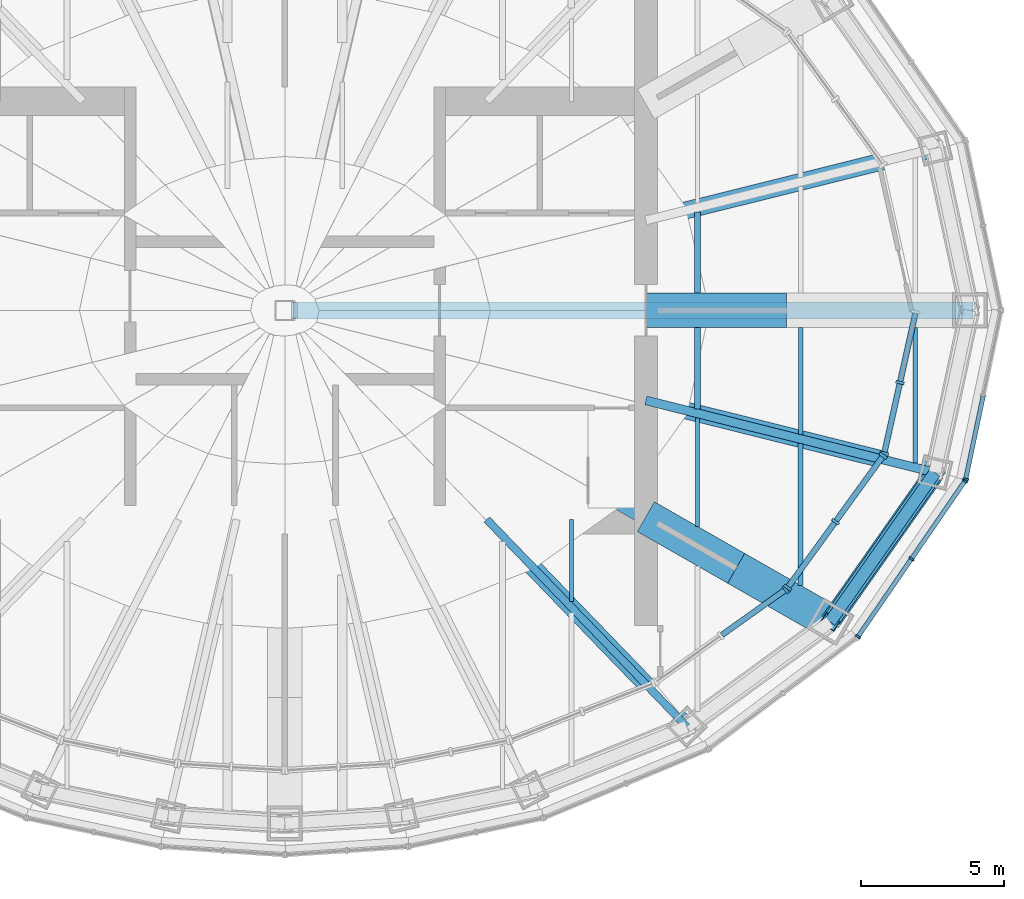
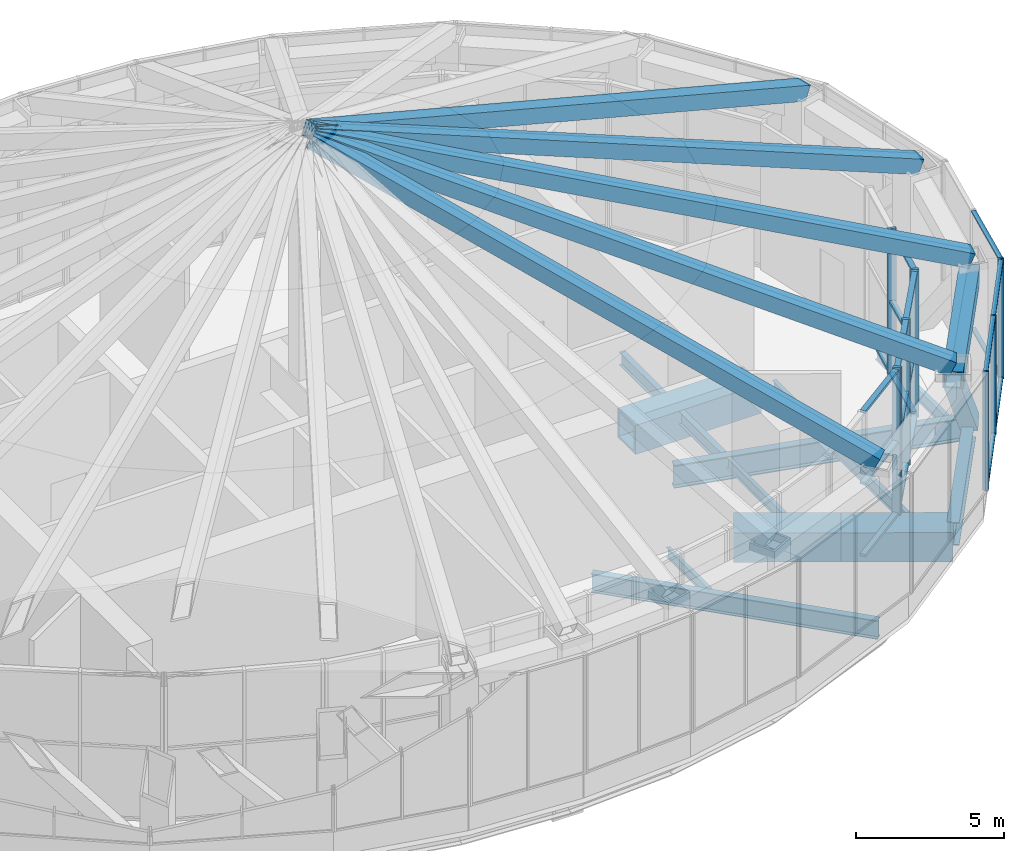
# One storey, part 8 of 21: 35 members, 14 beams, 5 elements without a shape of their own.
"""IFC4 building model written with IfcOpenShell, lengths in metres."""

import ifcopenshell
import ifcopenshell.guid

model = None  # the IFC model being written
_history = None  # IfcOwnerHistory: only IFC2X3 demands one
_inside = {}  # id of a spatial element -> (the spatial element, [elements in it])
_under = {}  # id of a project, library or spatial element -> (it, [spatial elements below it])
_declared = {}  # id of a project -> (the project, [libraries it declares])
_typed = {}  # id of a type object -> (the type object, [elements of that type])
_made_of = {}  # id of a material, layer set ... -> (it, [elements and type objects made of it])


def new_model(schema):
    """Start an empty IFC model of exactly this schema.

    Asked for "IFC4X3", IfcOpenShell would pick the latest addendum, in which some entities
    have other attributes; the version numbers below select the first issue.
    IFC2X3 requires an IfcOwnerHistory on every rooted entity: one is made here for all.
    """
    global model, _history
    if schema == "IFC4X3":
        model = ifcopenshell.file(schema_version=(4, 3, 0, 0))
    else:
        model = ifcopenshell.file(schema=schema)
    _inside.clear()
    _under.clear()
    _declared.clear()
    _typed.clear()
    _made_of.clear()
    _history = None
    if model.schema == "IFC2X3":
        org = make("IfcOrganization", Name="unknown")
        user = make(
            "IfcPersonAndOrganization",
            ThePerson=make("IfcPerson", FamilyName="unknown"),
            TheOrganization=org,
        )
        app = make(
            "IfcApplication",
            ApplicationDeveloper=org,
            Version="unknown",
            ApplicationFullName="unknown",
            ApplicationIdentifier="unknown",
        )
        _history = make(
            "IfcOwnerHistory",
            OwningUser=user,
            OwningApplication=app,
            ChangeAction="ADDED",
            CreationDate=0,
        )
    return model


def make(cls, **values):
    """One entity of the class cls with the attributes given. An attribute that is None is left unset."""
    return model.create_entity(
        cls, **{name: value for name, value in values.items() if value is not None}
    )


def rooted(cls, **values):
    """An entity with a GlobalId (a new one), such as an element, a storey or a relation."""
    return make(cls, GlobalId=ifcopenshell.guid.new(), OwnerHistory=_history, **values)


def si_unit(unit_type, name, prefix=None):
    """IfcSIUnit, for example si_unit("LENGTHUNIT", "METRE", prefix="MILLI")."""
    return make("IfcSIUnit", UnitType=unit_type, Prefix=prefix, Name=name)


def assignment(units):
    """IfcUnitAssignment: the units of a project."""
    return None if units is None else make("IfcUnitAssignment", Units=units)


def point(xyz):
    """IfcCartesianPoint."""
    return None if xyz is None else make("IfcCartesianPoint", Coordinates=xyz)


def direction(xyz):
    """IfcDirection."""
    return None if xyz is None else make("IfcDirection", DirectionRatios=xyz)


def frame(location, z_axis=None, x_axis=None):
    """IfcAxis2Placement3D, a coordinate frame: its origin and axes. An axis left out is left unset."""
    return make(
        "IfcAxis2Placement3D",
        Location=point(location),
        Axis=direction(z_axis),
        RefDirection=direction(x_axis),
    )


def frame_2d(location, x_axis=None):
    """IfcAxis2Placement2D, a coordinate frame in the plane: its origin and x axis."""
    return make(
        "IfcAxis2Placement2D", Location=point(location), RefDirection=direction(x_axis)
    )


def origin():
    """The frame at (0, 0, 0) with its axes left unset."""
    return frame((0.0, 0.0, 0.0))


def origin_2d():
    """The frame at (0, 0) in the plane with its x axis left unset."""
    return frame_2d((0.0, 0.0))


def place(relative_to, where):
    """IfcLocalPlacement: puts the frame where relative to a parent placement (None: the world)."""
    return make(
        "IfcLocalPlacement", PlacementRelTo=relative_to, RelativePlacement=where
    )


def context(
    kind, dimensions, precision=None, world=None, true_north=None, identifier=None
):
    """IfcGeometricRepresentationContext, for example the 3D "Model" context."""
    return make(
        "IfcGeometricRepresentationContext",
        ContextIdentifier=identifier,
        ContextType=kind,
        CoordinateSpaceDimension=dimensions,
        Precision=precision,
        WorldCoordinateSystem=world,
        TrueNorth=true_north,
    )


def subcontext(parent, identifier, kind, view, scale=None):
    """IfcGeometricRepresentationSubContext, for example "Body" below "Model"."""
    return make(
        "IfcGeometricRepresentationSubContext",
        ContextIdentifier=identifier,
        ContextType=kind,
        ParentContext=parent,
        TargetScale=scale,
        TargetView=view,
    )


def project(units=None, contexts=None):
    """IfcProject with its units and contexts."""
    return rooted(
        "IfcProject",
        Name="project",
        RepresentationContexts=contexts,
        UnitsInContext=assignment(units),
    )


def spatial(cls, under=None, at=None, **own):
    """A site, building, storey or space (cls), placed at a placement, below another one or the project."""
    s = rooted(cls, ObjectPlacement=at, **own)
    if under is not None:
        _under.setdefault(under.id(), (under, []))[1].append(s)
    return s


def profile(cls, at=None, kind="AREA", **sizes):
    """A parametric profile (cls). Its sizes go by their IFC names, for example OverallWidth=200.0."""
    return make(cls, ProfileType=kind, Position=at, **sizes)


def rectangle(**sizes):
    """IfcRectangleProfileDef."""
    return profile("IfcRectangleProfileDef", **sizes)


def hollow_rectangle(**sizes):
    """IfcRectangleHollowProfileDef."""
    return profile("IfcRectangleHollowProfileDef", **sizes)


def i_section(**sizes):
    """IfcIShapeProfileDef."""
    return profile("IfcIShapeProfileDef", **sizes)


def extrude(swept, where, along, depth):
    """IfcExtrudedAreaSolid: the profile swept, set in the frame where, extruded along a direction by depth."""
    return make(
        "IfcExtrudedAreaSolid",
        SweptArea=swept,
        Position=where,
        ExtrudedDirection=direction(along),
        Depth=depth,
    )


def shape(context_of_items, identifier, shape_type, items):
    """IfcShapeRepresentation: the items that make up one representation, for example the "Body"."""
    return make(
        "IfcShapeRepresentation",
        ContextOfItems=context_of_items,
        RepresentationIdentifier=identifier,
        RepresentationType=shape_type,
        Items=items,
    )


def material(Name=None, Category=None):
    """IfcMaterial."""
    return make("IfcMaterial", Name=Name, Category=Category)


def material_profile(
    of_material, cross_section, Name=None, Category=None, Priority=None
):
    """IfcMaterialProfile: a cross section and its material."""
    return make(
        "IfcMaterialProfile",
        Name=Name,
        Material=of_material,
        Profile=cross_section,
        Priority=Priority,
        Category=Category,
    )


def profile_set(profiles, Name=None, composite=None):
    """IfcMaterialProfileSet."""
    return make(
        "IfcMaterialProfileSet",
        Name=Name,
        MaterialProfiles=profiles,
        CompositeProfile=composite,
    )


def made_of(thing, what):
    """Note that an element or type object is made of a material, layer set ...; save() writes the relation."""
    if what is not None:
        _made_of.setdefault(what.id(), (what, []))[1].append(thing)
    return thing


def type_object(cls, material=None, **own):
    """A type object (cls), such as IfcWallType, which elements share."""
    return made_of(rooted(cls, **own), material)


def element(
    cls,
    number,
    at=None,
    inside=None,
    cuts=None,
    type_object=None,
    material=None,
    context=None,
    identifier="Body",
    shape_type=None,
    held_by="IfcProductDefinitionShape",
    body=None,
    shapes=None,
    **own,
):
    """One element of the class cls, such as IfcWall. Its Tag is "e" and its number.

    at: its placement. inside: the storey or other place that contains it. cuts: it is an
    opening in that element (IfcRelVoidsElement). A single representation is given by context,
    identifier, shape_type and body (its items); several are given by shapes. held_by: the class
    of the entity that holds the representations. save() writes the other relations.
    """
    e = rooted(cls, Tag="e%d" % number, ObjectPlacement=at, **own)
    if body is not None:
        shapes = [shape(context, identifier, shape_type, body)]
    if shapes is not None:
        e.Representation = make(held_by, Representations=shapes)
    if inside is not None:
        _inside.setdefault(inside.id(), (inside, []))[1].append(e)
    if cuts is not None:
        rooted(
            "IfcRelVoidsElement", RelatingBuildingElement=cuts, RelatedOpeningElement=e
        )
    if type_object is not None:
        _typed.setdefault(type_object.id(), (type_object, []))[1].append(e)
    return made_of(e, material)


def aggregate(whole, parts):
    """IfcRelAggregates: a whole, such as a stair, and the parts it consists of."""
    return rooted("IfcRelAggregates", RelatingObject=whole, RelatedObjects=parts)


def save(model, path):
    """Write the relations noted so far, then the file.

    IfcRelAggregates (storeys below a building ...), IfcRelContainedInSpatialStructure (elements
    in a storey), IfcRelDefinesByType, IfcRelAssociatesMaterial and IfcRelDeclares: one each for
    every whole, place, type object, material and project.
    """
    for whole, parts in _under.values():
        aggregate(whole, parts)
    for where, things in _inside.values():
        rooted(
            "IfcRelContainedInSpatialStructure",
            RelatedElements=things,
            RelatingStructure=where,
        )
    for kind, things in _typed.values():
        rooted("IfcRelDefinesByType", RelatedObjects=things, RelatingType=kind)
    for what, things in _made_of.values():
        rooted("IfcRelAssociatesMaterial", RelatedObjects=things, RelatingMaterial=what)
    for by, libraries in _declared.values():
        rooted("IfcRelDeclares", RelatingContext=by, RelatedDefinitions=libraries)
    model.write(path)


model = new_model("IFC4")

# Units and contexts
model_context = context("Model", 3, precision=1e-05, world=origin(), true_north=direction((0.0, 1.0)))
body_context = subcontext(model_context, "Body", "Model", "MODEL_VIEW")
ifc_project = project(units=[si_unit("LENGTHUNIT", "METRE"), si_unit("AREAUNIT", "SQUARE_METRE"), si_unit("VOLUMEUNIT", "CUBIC_METRE"), si_unit("PLANEANGLEUNIT", "RADIAN"), si_unit("MASSUNIT", "GRAM", prefix="KILO")], contexts=[model_context])

# Site, building, storey
site_placement = place(None, origin())
site = spatial("IfcSite", under=ifc_project, at=site_placement, CompositionType="ELEMENT")
building_placement = place(site_placement, origin())
building = spatial("IfcBuilding", under=site, at=building_placement, Name="Lantaw Convention Tower", CompositionType="ELEMENT")
storey_placement = place(building_placement, frame((0.0, 0.0, 290.39990234375)))
storey = spatial("IfcBuildingStorey", under=building, at=storey_placement, Name="L67", CompositionType="ELEMENT", Elevation=290.39990234375)

# Beams
ifc_material_1 = material(Name="Steel ASTM A992", Category="steel")
ifc_material_profile_1 = material_profile(ifc_material_1, i_section(OverallWidth=0.424072265625, OverallDepth=0.947509765625, WebThickness=0.02392578125, FlangeThickness=0.042724609375, FilletRadius=0.012451171875, at=origin_2d()), Name="W36X302")
ifc_profile_set_1 = profile_set([ifc_material_profile_1], Name="Steel ASTM A992")
beam_type_1 = type_object("IfcBeamType", Name="Beam BC W36X302", PredefinedType="SPANDREL", material=ifc_profile_set_1)
beam_1_placement = place(storey_placement, frame((19.02685546875, -10.87255859375, -0.673583984375), z_axis=(0.574400527612, 0.81857439117, 0.0), x_axis=(-0.81857439117, 0.574400527612, 0.0)))
element("IfcBeam", 1, at=beam_1_placement, inside=storey, type_object=beam_type_1, Name="Belt truss chord 23", PredefinedType="SPANDREL", context=body_context, shape_type="SweptSolid", body=[
    extrude(i_section(OverallWidth=0.424072265625, OverallDepth=0.947509765625, WebThickness=0.02392578125, FlangeThickness=0.042724609375, FilletRadius=0.012451171875, at=origin_2d()), origin(), (0.0, 0.0, 1.0), 6.3720703125),
])
ifc_material_2 = material(Name="Steel EN 10025-3 S460N", Category="steel")
ifc_material_profile_2 = material_profile(ifc_material_2, hollow_rectangle(XDim=1.199951171875, YDim=1.199951171875, WallThickness=0.10009765625, at=origin_2d()), Name="BOX1200X100")
ifc_profile_set_2 = profile_set([ifc_material_profile_2], Name="Steel EN 10025-3 S460N")
beam_type_2 = type_object("IfcBeamType", Name="Beam G BOX1200X100", PredefinedType="BEAM", material=ifc_profile_set_2)
beam_2_placement = place(storey_placement, frame((15.75, -9.0, -0.7998046875), z_axis=(0.868235180478, -0.496152870978, 0.0), x_axis=(0.496152870978, 0.868235180478, 0.0)))
element("IfcBeam", 2, at=beam_2_placement, inside=storey, type_object=beam_type_2, Name="Floor girder on ray 23", PredefinedType="BEAM", context=body_context, shape_type="SweptSolid", body=[
    extrude(hollow_rectangle(XDim=1.199951171875, YDim=1.199951171875, WallThickness=0.10009765625, at=origin_2d()), origin(), (0.0, 0.0, 1.0), 3.774169921875),
])
ifc_material_profile_3 = material_profile(ifc_material_1, i_section(OverallWidth=0.2666015625, OverallDepth=0.76953125, WebThickness=0.015625, FlangeThickness=0.025390625, FilletRadius=0.0126953125, at=origin_2d()), Name="W30X132")
ifc_profile_set_3 = profile_set([ifc_material_profile_3], Name="Steel ASTM A992")
beam_type_3 = type_object("IfcBeamType", Name="Beam G W30X132", PredefinedType="BEAM", material=ifc_profile_set_3)
beam_3_placement = place(storey_placement, frame((7.049560546875, -7.300048828125, -0.584716796875), z_axis=(0.694652631285, -0.71934534255, 0.0), x_axis=(0.71934534255, 0.694652631285, 0.0)))
element("IfcBeam", 3, at=beam_3_placement, inside=storey, type_object=beam_type_3, Name="Floor girder on ray 22", PredefinedType="BEAM", context=body_context, shape_type="SweptSolid", body=[
    extrude(i_section(OverallWidth=0.2666015625, OverallDepth=0.76953125, WebThickness=0.015625, FlangeThickness=0.025390625, FilletRadius=0.0126953125, at=origin_2d()), origin(), (0.0, 0.0, 1.0), 10.04541015625),
])
ifc_material_profile_4 = material_profile(ifc_material_1, i_section(OverallWidth=0.307373046875, OverallDepth=0.9423828125, WebThickness=0.022216796875, FlangeThickness=0.039794921875, FilletRadius=0.0126953125, at=origin_2d()), Name="W36X232")
ifc_profile_set_4 = profile_set([ifc_material_profile_4], Name="Steel ASTM A992")
beam_type_4 = type_object("IfcBeamType", Name="Beam G W36X232", PredefinedType="BEAM", material=ifc_profile_set_4)
beam_4_placement = place(storey_placement, frame((12.60009765625, -3.1416015625, -0.671142578125), z_axis=(0.97029702597, -0.241916682751, 0.0), x_axis=(0.241916682751, 0.97029702597, 0.0)))
element("IfcBeam", 4, at=beam_4_placement, inside=storey, type_object=beam_type_4, Name="Floor girder on ray 24", PredefinedType="BEAM", context=body_context, shape_type="SweptSolid", body=[
    extrude(i_section(OverallWidth=0.307373046875, OverallDepth=0.9423828125, WebThickness=0.022216796875, FlangeThickness=0.039794921875, FilletRadius=0.0126953125, at=origin_2d()), origin(), (0.0, 0.0, 1.0), 10.395751953125),
])
ifc_material_profile_5 = material_profile(ifc_material_1, i_section(OverallWidth=0.140380859375, OverallDepth=0.40380859375, WebThickness=0.007080078125, FlangeThickness=0.01123046875, FilletRadius=0.01025390625, at=origin_2d()), Name="W16X31")
ifc_profile_set_5 = profile_set([ifc_material_profile_5], Name="Steel ASTM A992")
beam_type_5 = type_object("IfcBeamType", Name="Beam J W16X31", PredefinedType="JOIST", material=ifc_profile_set_5)
beam_5_placement = place(storey_placement, frame((10.0, -10.163330078125, -0.40185546875), z_axis=(0.0, 1.0, 0.0), x_axis=(-1.0, 0.0, 0.0)))
element("IfcBeam", 5, at=beam_5_placement, inside=storey, type_object=beam_type_5, Name="Floor joist", PredefinedType="JOIST", context=body_context, shape_type="SweptSolid", body=[
    extrude(i_section(OverallWidth=0.140380859375, OverallDepth=0.40380859375, WebThickness=0.007080078125, FlangeThickness=0.01123046875, FilletRadius=0.01025390625, at=origin_2d()), origin(), (0.0, 0.0, 1.0), 2.86328125),
])
ifc_material_profile_6 = material_profile(ifc_material_1, i_section(OverallWidth=0.15234375, OverallDepth=0.449462890625, WebThickness=0.007568359375, FlangeThickness=0.0107421875, FilletRadius=0.01025390625, at=origin_2d()), Name="W18X35")
ifc_profile_set_6 = profile_set([ifc_material_profile_6], Name="Steel ASTM A992")
beam_type_6 = type_object("IfcBeamType", Name="Beam J W18X35", PredefinedType="JOIST", material=ifc_profile_set_6)
beam_6_placement = place(storey_placement, frame((14.39990234375, -7.53759765625, -0.4248046875), z_axis=(0.0, 1.0, 0.0), x_axis=(-1.0, 0.0, 0.0)))
element("IfcBeam", 6, at=beam_6_placement, inside=storey, type_object=beam_type_6, Name="Floor joist", PredefinedType="JOIST", context=body_context, shape_type="SweptSolid", body=[
    extrude(i_section(OverallWidth=0.15234375, OverallDepth=0.449462890625, WebThickness=0.007568359375, FlangeThickness=0.0107421875, FilletRadius=0.01025390625, at=origin_2d()), origin(), (0.0, 0.0, 1.0), 3.788818359375),
])
beam_7_placement = place(storey_placement, frame((18.0, -4.32958984375, -0.4248046875), z_axis=(0.0, 1.0, 0.0), x_axis=(-1.0, 0.0, 0.0)))
element("IfcBeam", 7, at=beam_7_placement, inside=storey, type_object=beam_type_6, Name="Floor joist", PredefinedType="JOIST", context=body_context, shape_type="SweptSolid", body=[
    extrude(i_section(OverallWidth=0.15234375, OverallDepth=0.449462890625, WebThickness=0.007568359375, FlangeThickness=0.0107421875, FilletRadius=0.01025390625, at=origin_2d()), origin(), (0.0, 0.0, 1.0), 3.7294921875),
])
ifc_material_profile_7 = material_profile(ifc_material_1, i_section(OverallWidth=0.1650390625, OverallDepth=0.52587890625, WebThickness=0.0087890625, FlangeThickness=0.011474609375, FilletRadius=0.0126953125, at=origin_2d()), Name="W21X44")
ifc_profile_set_7 = profile_set([ifc_material_profile_7], Name="Steel ASTM A992")
beam_type_7 = type_object("IfcBeamType", Name="Beam J W21X44", PredefinedType="JOIST", material=ifc_profile_set_7)
beam_8_placement = place(storey_placement, frame((22.0, -5.326904296875, -0.462890625), z_axis=(0.0, 1.0, 0.0), x_axis=(-1.0, 0.0, 0.0)))
element("IfcBeam", 8, at=beam_8_placement, inside=storey, type_object=beam_type_7, Name="Floor joist", PredefinedType="JOIST", context=body_context, shape_type="SweptSolid", body=[
    extrude(i_section(OverallWidth=0.1650390625, OverallDepth=0.52587890625, WebThickness=0.0087890625, FlangeThickness=0.011474609375, FilletRadius=0.0126953125, at=origin_2d()), origin(), (0.0, 0.0, 1.0), 4.726806640625),
])
ifc_material_profile_8 = material_profile(ifc_material_1, i_section(OverallWidth=0.165771484375, OverallDepth=0.5283203125, WebThickness=0.009765625, FlangeThickness=0.013671875, FilletRadius=0.012939453125, at=origin_2d()), Name="W21X50")
ifc_profile_set_8 = profile_set([ifc_material_profile_8], Name="Steel ASTM A992")
beam_type_8 = type_object("IfcBeamType", Name="Beam J W21X50", PredefinedType="JOIST", material=ifc_profile_set_8)
beam_9_placement = place(storey_placement, frame((18.0, -9.5947265625, -0.464111328125), z_axis=(0.0, 1.0, 0.0), x_axis=(-1.0, 0.0, 0.0)))
element("IfcBeam", 9, at=beam_9_placement, inside=storey, type_object=beam_type_8, Name="Floor joist", PredefinedType="JOIST", context=body_context, shape_type="SweptSolid", body=[
    extrude(i_section(OverallWidth=0.165771484375, OverallDepth=0.5283203125, WebThickness=0.009765625, FlangeThickness=0.013671875, FilletRadius=0.012939453125, at=origin_2d()), origin(), (0.0, 0.0, 1.0), 4.948486328125),
])
ifc_material_profile_9 = material_profile(ifc_material_1, i_section(OverallWidth=0.2099609375, OverallDepth=0.535888671875, WebThickness=0.010986328125, FlangeThickness=0.017333984375, FilletRadius=0.012939453125, at=origin_2d()), Name="W21X68")
ifc_profile_set_9 = profile_set([ifc_material_profile_9], Name="Steel ASTM A992")
beam_type_9 = type_object("IfcBeamType", Name="Beam J W21X68", PredefinedType="JOIST", material=ifc_profile_set_9)
for number, where, z_axis, x_axis, name in (
    (10, (14.39990234375, -3.431884765625, -0.4677734375), (0.0, 1.0, 0.0), (-1.0, 0.0, 0.0), "Floor joist"),
    (11, (14.39990234375, 0.60009765625, -0.4677734375), (0.0, 1.0, 0.0), (-1.0, 0.0, 0.0), "Floor joist"),
):
    element("IfcBeam", number, at=place(storey_placement, frame(where, z_axis=z_axis, x_axis=x_axis)), inside=storey, type_object=beam_type_9, Name=name, PredefinedType="JOIST", context=body_context, shape_type="SweptSolid", body=[
        extrude(i_section(OverallWidth=0.2099609375, OverallDepth=0.535888671875, WebThickness=0.010986328125, FlangeThickness=0.017333984375, FilletRadius=0.012939453125, at=origin_2d()), origin(), (0.0, 0.0, 1.0), 2.831787109375),
    ])
ifc_material_profile_10 = material_profile(ifc_material_2, hollow_rectangle(XDim=1.199951171875, YDim=1.199951171875, WallThickness=0.10009765625, at=origin_2d()), Name="BOX1200X100")
ifc_profile_set_10 = profile_set([ifc_material_profile_10], Name="Steel EN 10025-3 S460N")
beam_type_10 = type_object("IfcBeamType", Name="Beam OC BOX1200X100", PredefinedType="BEAM", material=ifc_profile_set_10)
beam_10_placement = place(storey_placement, frame((12.60009765625, 0.0, -0.7998046875), z_axis=(1.0, 0.0, 0.0), x_axis=(0.0, 1.0, 0.0)))
element("IfcBeam", 12, at=beam_10_placement, inside=storey, type_object=beam_type_10, Name="Outrigger chord on ray 1", PredefinedType="BEAM", context=body_context, shape_type="SweptSolid", body=[
    extrude(hollow_rectangle(XDim=1.199951171875, YDim=1.199951171875, WallThickness=0.10009765625, at=origin_2d()), origin(), (0.0, 0.0, 1.0), 4.89990234375),
])
beam_11_placement = place(storey_placement, frame((12.60009765625, -7.199951171875, -0.7998046875), z_axis=(0.868230718294, -0.496160679428, 0.0), x_axis=(0.496160679428, 0.868230718294, 0.0)))
element("IfcBeam", 13, at=beam_11_placement, inside=storey, type_object=beam_type_10, Name="Outrigger chord on ray 23", PredefinedType="BEAM", context=body_context, shape_type="SweptSolid", body=[
    extrude(hollow_rectangle(XDim=1.199951171875, YDim=1.199951171875, WallThickness=0.10009765625, at=origin_2d()), origin(), (0.0, 0.0, 1.0), 3.6279296875),
])
ifc_material_3 = material(Name="Steel ASTM A572 Grade 50", Category="steel")
ifc_material_profile_11 = material_profile(ifc_material_3, hollow_rectangle(XDim=0.699951171875, YDim=0.699951171875, WallThickness=0.0400390625, at=origin_2d()), Name="BOX700X40")
ifc_profile_set_11 = profile_set([ifc_material_profile_11], Name="Steel ASTM A572 Grade 50")
beam_type_11 = type_object("IfcBeamType", Name="Beam crown ring BOX700X40", PredefinedType="SPANDREL", material=ifc_profile_set_11)
beam_12_placement = place(storey_placement, frame((19.02685546875, -10.87255859375, 5.650146484375), z_axis=(0.574400527612, 0.81857439117, 0.0), x_axis=(-0.81857439117, 0.574400527612, 0.0)))
element("IfcBeam", 14, at=beam_12_placement, inside=storey, type_object=beam_type_11, Name="Crown ring beam", PredefinedType="SPANDREL", context=body_context, shape_type="SweptSolid", body=[
    extrude(hollow_rectangle(XDim=0.699951171875, YDim=0.699951171875, WallThickness=0.0400390625, at=origin_2d()), origin(), (0.0, 0.0, 1.0), 6.3720703125),
])

# Curtain wall, member
ifc_material_4 = material(Name="Aluminium framed curtain wall", Category="aluminium")
curtain_wall_type_1 = type_object("IfcCurtainWallType", Name="LANTERN glazing curtain wall, pale aluminium", PredefinedType="USERDEFINED", material=ifc_material_4)
curtain_wall_1_placement = place(storey_placement, origin())
curtain_wall_1 = element("IfcCurtainWall", 15, at=curtain_wall_1_placement, inside=storey, type_object=curtain_wall_type_1, Name="LANTERN glazing curtain wall, pale aluminium L67", ObjectType="LANTERN GLAZING", PredefinedType="USERDEFINED")
ifc_material_5 = material(Name="Aluminium 6063-T6", Category="aluminium")
ifc_material_profile_12 = material_profile(ifc_material_5, rectangle(XDim=0.300048828125, YDim=0.10009765625, at=origin_2d()), Name="CW-LN mullion 100x300")
ifc_profile_set_12 = profile_set([ifc_material_profile_12], Name="Aluminium 6063-T6")
member_type_1 = type_object("IfcMemberType", Name="CW-LN mullion 100x300", PredefinedType="MULLION", material=ifc_profile_set_12)
member_1_placement = place(storey_placement, frame((17.477783203125, -9.7431640625, 0.0), z_axis=(0.0, 0.0, 1.0), x_axis=(-0.579683901346, 0.814841441337, 0.0)))
member_1 = element("IfcMember", 16, at=member_1_placement, type_object=member_type_1, Name="CW-LN mullion 3", PredefinedType="MULLION", context=body_context, shape_type="SweptSolid", body=[
    extrude(rectangle(XDim=0.300048828125, YDim=0.10009765625, at=origin_2d()), origin(), (0.0, 0.0, 1.0), 6.0),
])

# Curtain wall, members
curtain_wall_2_placement = place(storey_placement, origin())
curtain_wall_2 = element("IfcCurtainWall", 17, at=curtain_wall_2_placement, inside=storey, type_object=curtain_wall_type_1, Name="LANTERN glazing curtain wall, pale aluminium L67", ObjectType="LANTERN GLAZING", PredefinedType="USERDEFINED")
member_2_placement = place(storey_placement, frame((17.5478515625, -9.673583984375, 0.0), z_axis=(0.0, 0.0, 1.0), x_axis=(-0.809741800193, 0.586786346995, 0.0)))
member_2 = element("IfcMember", 18, at=member_2_placement, type_object=member_type_1, Name="CW-LN mullion 1", PredefinedType="MULLION", context=body_context, shape_type="SweptSolid", body=[
    extrude(rectangle(XDim=0.300048828125, YDim=0.10009765625, at=origin_2d()), origin(), (0.0, 0.0, 1.0), 6.0),
])
member_3_placement = place(storey_placement, frame((19.213623046875, -7.375, 0.0), z_axis=(0.0, 0.0, 1.0), x_axis=(-0.809741800193, 0.586786346995, 0.0)))
member_3 = element("IfcMember", 19, at=member_3_placement, type_object=member_type_1, Name="CW-LN mullion 2", PredefinedType="MULLION", context=body_context, shape_type="SweptSolid", body=[
    extrude(rectangle(XDim=0.300048828125, YDim=0.10009765625, at=origin_2d()), origin(), (0.0, 0.0, 1.0), 6.0),
])
member_4_placement = place(storey_placement, frame((20.87939453125, -5.076171875, 0.0), z_axis=(0.0, 0.0, 1.0), x_axis=(-0.809741800193, 0.586786346995, 0.0)))
member_4 = element("IfcMember", 20, at=member_4_placement, type_object=member_type_1, Name="CW-LN mullion 3", PredefinedType="MULLION", context=body_context, shape_type="SweptSolid", body=[
    extrude(rectangle(XDim=0.300048828125, YDim=0.10009765625, at=origin_2d()), origin(), (0.0, 0.0, 1.0), 6.0),
])

curtain_wall_3_placement = place(storey_placement, origin())
curtain_wall_3 = element("IfcCurtainWall", 21, at=curtain_wall_3_placement, inside=storey, type_object=curtain_wall_type_1, Name="LANTERN glazing curtain wall, pale aluminium L67", ObjectType="LANTERN GLAZING", PredefinedType="USERDEFINED")
member_5_placement = place(storey_placement, frame((20.919677734375, -4.98681640625, 0.0), z_axis=(0.0, 0.0, 1.0), x_axis=(-0.976223729568, 0.216765379683, 0.0)))
member_5 = element("IfcMember", 22, at=member_5_placement, type_object=member_type_1, Name="CW-LN mullion 1", PredefinedType="MULLION", context=body_context, shape_type="SweptSolid", body=[
    extrude(rectangle(XDim=0.300048828125, YDim=0.10009765625, at=origin_2d()), origin(), (0.0, 0.0, 1.0), 6.0),
])
member_6_placement = place(storey_placement, frame((21.4677734375, -2.517822265625, 0.0), z_axis=(0.0, 0.0, 1.0), x_axis=(-0.976223729568, 0.216765379683, 0.0)))
member_6 = element("IfcMember", 23, at=member_6_placement, type_object=member_type_1, Name="CW-LN mullion 2", PredefinedType="MULLION", context=body_context, shape_type="SweptSolid", body=[
    extrude(rectangle(XDim=0.300048828125, YDim=0.10009765625, at=origin_2d()), origin(), (0.0, 0.0, 1.0), 6.0),
])

# Member
ifc_material_profile_13 = material_profile(ifc_material_5, rectangle(XDim=0.199951171875, YDim=0.10009765625, at=origin_2d()), Name="CW-LN transom 100x200")
ifc_profile_set_13 = profile_set([ifc_material_profile_13], Name="Aluminium 6063-T6")
member_type_2 = type_object("IfcMemberType", Name="CW-LN transom 100x200", PredefinedType="USERDEFINED", material=ifc_profile_set_13)
member_7_placement = place(storey_placement, frame((15.2529296875, -11.325927734375, 0.050048828125), z_axis=(0.814809043546, 0.579729439098, 0.0), x_axis=(-0.579729439098, 0.814809043546, 0.0)))
member_7 = element("IfcMember", 24, at=member_7_placement, type_object=member_type_2, Name="CW-LN transom 2.1", ObjectType="TRANSOM", PredefinedType="USERDEFINED", context=body_context, shape_type="SweptSolid", body=[
    extrude(rectangle(XDim=0.199951171875, YDim=0.10009765625, at=origin_2d()), origin(), (0.0, 0.0, 1.0), 2.680419921875),
])

member_8_placement = place(storey_placement, frame((15.2529296875, -11.325927734375, 3.0), z_axis=(0.814809043546, 0.579729439098, 0.0), x_axis=(-0.579729439098, 0.814809043546, 0.0)))
member_8 = element("IfcMember", 25, at=member_8_placement, type_object=member_type_2, Name="CW-LN transom 2.2", ObjectType="TRANSOM", PredefinedType="USERDEFINED", context=body_context, shape_type="SweptSolid", body=[
    extrude(rectangle(XDim=0.199951171875, YDim=0.10009765625, at=origin_2d()), origin(), (0.0, 0.0, 1.0), 2.680419921875),
])

member_9_placement = place(storey_placement, frame((15.2529296875, -11.325927734375, 5.9501953125), z_axis=(0.814809043546, 0.579729439098, 0.0), x_axis=(-0.579729439098, 0.814809043546, 0.0)))
member_9 = element("IfcMember", 26, at=member_9_placement, type_object=member_type_2, Name="CW-LN transom 2.3", ObjectType="TRANSOM", PredefinedType="USERDEFINED", context=body_context, shape_type="SweptSolid", body=[
    extrude(rectangle(XDim=0.199951171875, YDim=0.10009765625, at=origin_2d()), origin(), (0.0, 0.0, 1.0), 2.680419921875),
])

aggregate(curtain_wall_1, [member_1, member_7, member_8, member_9])

member_10_placement = place(storey_placement, frame((17.5771484375, -9.633056640625, 0.050048828125), z_axis=(0.586798118951, 0.809733269414, 0.0), x_axis=(-0.809733269414, 0.586798118951, 0.0)))
member_10 = element("IfcMember", 27, at=member_10_placement, type_object=member_type_2, Name="CW-LN transom 1.1", ObjectType="TRANSOM", PredefinedType="USERDEFINED", context=body_context, shape_type="SweptSolid", body=[
    extrude(rectangle(XDim=0.199951171875, YDim=0.10009765625, at=origin_2d()), origin(), (0.0, 0.0, 1.0), 2.739013671875),
])

member_11_placement = place(storey_placement, frame((17.5771484375, -9.633056640625, 3.0), z_axis=(0.586798118951, 0.809733269414, 0.0), x_axis=(-0.809733269414, 0.586798118951, 0.0)))
member_11 = element("IfcMember", 28, at=member_11_placement, type_object=member_type_2, Name="CW-LN transom 1.2", ObjectType="TRANSOM", PredefinedType="USERDEFINED", context=body_context, shape_type="SweptSolid", body=[
    extrude(rectangle(XDim=0.199951171875, YDim=0.10009765625, at=origin_2d()), origin(), (0.0, 0.0, 1.0), 2.739013671875),
])

member_12_placement = place(storey_placement, frame((17.5771484375, -9.633056640625, 5.9501953125), z_axis=(0.586798118951, 0.809733269414, 0.0), x_axis=(-0.809733269414, 0.586798118951, 0.0)))
member_12 = element("IfcMember", 29, at=member_12_placement, type_object=member_type_2, Name="CW-LN transom 1.3", ObjectType="TRANSOM", PredefinedType="USERDEFINED", context=body_context, shape_type="SweptSolid", body=[
    extrude(rectangle(XDim=0.199951171875, YDim=0.10009765625, at=origin_2d()), origin(), (0.0, 0.0, 1.0), 2.739013671875),
])

member_13_placement = place(storey_placement, frame((19.242919921875, -7.33447265625, 0.050048828125), z_axis=(0.586798118951, 0.809733269414, 0.0), x_axis=(-0.809733269414, 0.586798118951, 0.0)))
member_13 = element("IfcMember", 30, at=member_13_placement, type_object=member_type_2, Name="CW-LN transom 2.1", ObjectType="TRANSOM", PredefinedType="USERDEFINED", context=body_context, shape_type="SweptSolid", body=[
    extrude(rectangle(XDim=0.199951171875, YDim=0.10009765625, at=origin_2d()), origin(), (0.0, 0.0, 1.0), 2.739013671875),
])

member_14_placement = place(storey_placement, frame((19.242919921875, -7.33447265625, 3.0), z_axis=(0.586798118951, 0.809733269414, 0.0), x_axis=(-0.809733269414, 0.586798118951, 0.0)))
member_14 = element("IfcMember", 31, at=member_14_placement, type_object=member_type_2, Name="CW-LN transom 2.2", ObjectType="TRANSOM", PredefinedType="USERDEFINED", context=body_context, shape_type="SweptSolid", body=[
    extrude(rectangle(XDim=0.199951171875, YDim=0.10009765625, at=origin_2d()), origin(), (0.0, 0.0, 1.0), 2.739013671875),
])

member_15_placement = place(storey_placement, frame((19.242919921875, -7.33447265625, 5.9501953125), z_axis=(0.586798118951, 0.809733269414, 0.0), x_axis=(-0.809733269414, 0.586798118951, 0.0)))
member_15 = element("IfcMember", 32, at=member_15_placement, type_object=member_type_2, Name="CW-LN transom 2.3", ObjectType="TRANSOM", PredefinedType="USERDEFINED", context=body_context, shape_type="SweptSolid", body=[
    extrude(rectangle(XDim=0.199951171875, YDim=0.10009765625, at=origin_2d()), origin(), (0.0, 0.0, 1.0), 2.739013671875),
])

aggregate(curtain_wall_2, [member_2, member_3, member_4, member_10, member_11, member_12, member_13, member_14, member_15])

member_16_placement = place(storey_placement, frame((20.930419921875, -4.93798828125, 0.050048828125), z_axis=(0.21679211166, 0.976217793488, 0.0), x_axis=(-0.976217793488, 0.21679211166, 0.0)))
member_16 = element("IfcMember", 33, at=member_16_placement, type_object=member_type_2, Name="CW-LN transom 1.1", ObjectType="TRANSOM", PredefinedType="USERDEFINED", context=body_context, shape_type="SweptSolid", body=[
    extrude(rectangle(XDim=0.199951171875, YDim=0.10009765625, at=origin_2d()), origin(), (0.0, 0.0, 1.0), 2.42919921875),
])

member_17_placement = place(storey_placement, frame((20.930419921875, -4.93798828125, 3.0), z_axis=(0.21679211166, 0.976217793488, 0.0), x_axis=(-0.976217793488, 0.21679211166, 0.0)))
member_17 = element("IfcMember", 34, at=member_17_placement, type_object=member_type_2, Name="CW-LN transom 1.2", ObjectType="TRANSOM", PredefinedType="USERDEFINED", context=body_context, shape_type="SweptSolid", body=[
    extrude(rectangle(XDim=0.199951171875, YDim=0.10009765625, at=origin_2d()), origin(), (0.0, 0.0, 1.0), 2.42919921875),
])

member_18_placement = place(storey_placement, frame((20.930419921875, -4.93798828125, 5.9501953125), z_axis=(0.21679211166, 0.976217793488, 0.0), x_axis=(-0.976217793488, 0.21679211166, 0.0)))
member_18 = element("IfcMember", 35, at=member_18_placement, type_object=member_type_2, Name="CW-LN transom 1.3", ObjectType="TRANSOM", PredefinedType="USERDEFINED", context=body_context, shape_type="SweptSolid", body=[
    extrude(rectangle(XDim=0.199951171875, YDim=0.10009765625, at=origin_2d()), origin(), (0.0, 0.0, 1.0), 2.42919921875),
])

member_19_placement = place(storey_placement, frame((21.478515625, -2.468994140625, 0.050048828125), z_axis=(0.21679211166, 0.976217793488, 0.0), x_axis=(-0.976217793488, 0.21679211166, 0.0)))
member_19 = element("IfcMember", 36, at=member_19_placement, type_object=member_type_2, Name="CW-LN transom 2.1", ObjectType="TRANSOM", PredefinedType="USERDEFINED", context=body_context, shape_type="SweptSolid", body=[
    extrude(rectangle(XDim=0.199951171875, YDim=0.10009765625, at=origin_2d()), origin(), (0.0, 0.0, 1.0), 2.42919921875),
])

aggregate(curtain_wall_3, [member_5, member_6, member_16, member_17, member_18, member_19])

# Curtain wall, members
curtain_wall_type_2 = type_object("IfcCurtainWallType", Name="Plant floor louvre wall, pale aluminium", PredefinedType="USERDEFINED", material=ifc_material_4)
curtain_wall_4_placement = place(storey_placement, origin())
curtain_wall_4 = element("IfcCurtainWall", 37, at=curtain_wall_4_placement, inside=storey, type_object=curtain_wall_type_2, Name="Plant floor louvre wall, pale aluminium L67", ObjectType="LOUVRE WALL", PredefinedType="USERDEFINED")
ifc_material_profile_14 = material_profile(ifc_material_5, rectangle(XDim=0.199951171875, YDim=0.070068359375, at=origin_2d()), Name="CW-LV mullion 70x200")
ifc_profile_set_14 = profile_set([ifc_material_profile_14], Name="Aluminium 6063-T6")
member_type_3 = type_object("IfcMemberType", Name="CW-LV mullion 70x200", PredefinedType="MULLION", material=ifc_profile_set_14)
member_20_placement = place(storey_placement, frame((20.001708984375, -11.389404296875, 1.10009765625), z_axis=(0.0, 0.0, 1.0), x_axis=(-0.824449977189, 0.565934832921, 0.0)))
member_20 = element("IfcMember", 38, at=member_20_placement, type_object=member_type_3, Name="CW-LV mullion 1", PredefinedType="MULLION", context=body_context, shape_type="SweptSolid", body=[
    extrude(rectangle(XDim=0.199951171875, YDim=0.070068359375, at=origin_2d()), origin(), (0.0, 0.0, 1.0), 4.89990234375),
])
member_21_placement = place(storey_placement, frame((21.8681640625, -8.67041015625, 1.10009765625), z_axis=(0.0, 0.0, 1.0), x_axis=(-0.824449977189, 0.565934832921, 0.0)))
member_21 = element("IfcMember", 39, at=member_21_placement, type_object=member_type_3, Name="CW-LV mullion 2", PredefinedType="MULLION", context=body_context, shape_type="SweptSolid", body=[
    extrude(rectangle(XDim=0.199951171875, YDim=0.070068359375, at=origin_2d()), origin(), (0.0, 0.0, 1.0), 4.89990234375),
])
member_22_placement = place(storey_placement, frame((23.734619140625, -5.951416015625, 1.10009765625), z_axis=(0.0, 0.0, 1.0), x_axis=(-0.824449977189, 0.565934832921, 0.0)))
member_22 = element("IfcMember", 40, at=member_22_placement, type_object=member_type_3, Name="CW-LV mullion 3", PredefinedType="MULLION", context=body_context, shape_type="SweptSolid", body=[
    extrude(rectangle(XDim=0.199951171875, YDim=0.070068359375, at=origin_2d()), origin(), (0.0, 0.0, 1.0), 4.89990234375),
])

# Curtain wall, member
curtain_wall_5_placement = place(storey_placement, origin())
curtain_wall_5 = element("IfcCurtainWall", 41, at=curtain_wall_5_placement, inside=storey, type_object=curtain_wall_type_2, Name="Plant floor louvre wall, pale aluminium L67", ObjectType="LOUVRE WALL", PredefinedType="USERDEFINED")
member_23_placement = place(storey_placement, frame((23.761474609375, -5.888427734375, 1.10009765625), z_axis=(0.0, 0.0, 1.0), x_axis=(-0.978591117263, 0.205814054946, 0.0)))
member_23 = element("IfcMember", 42, at=member_23_placement, type_object=member_type_3, Name="CW-LV mullion 1", PredefinedType="MULLION", context=body_context, shape_type="SweptSolid", body=[
    extrude(rectangle(XDim=0.199951171875, YDim=0.070068359375, at=origin_2d()), origin(), (0.0, 0.0, 1.0), 4.89990234375),
])

# Member
ifc_material_profile_15 = material_profile(ifc_material_5, rectangle(XDim=0.159912109375, YDim=0.070068359375, at=origin_2d()), Name="CW-LV transom 70x160")
ifc_profile_set_15 = profile_set([ifc_material_profile_15], Name="Aluminium 6063-T6")
member_type_4 = type_object("IfcMemberType", Name="CW-LV transom 70x160", PredefinedType="USERDEFINED", material=ifc_profile_set_15)
member_24_placement = place(storey_placement, frame((20.021484375, -11.360595703125, 1.135009765625), z_axis=(0.56594129057, 0.824445544368, 0.0), x_axis=(-0.824445544368, 0.56594129057, 0.0)))
member_24 = element("IfcMember", 43, at=member_24_placement, type_object=member_type_4, Name="CW-LV transom 1.1", ObjectType="TRANSOM", PredefinedType="USERDEFINED", context=body_context, shape_type="SweptSolid", body=[
    extrude(rectangle(XDim=0.159912109375, YDim=0.070068359375, at=origin_2d()), origin(), (0.0, 0.0, 1.0), 3.22802734375),
])

member_25_placement = place(storey_placement, frame((20.021484375, -11.360595703125, 5.965087890625), z_axis=(0.56594129057, 0.824445544368, 0.0), x_axis=(-0.824445544368, 0.56594129057, 0.0)))
member_25 = element("IfcMember", 44, at=member_25_placement, type_object=member_type_4, Name="CW-LV transom 1.2", ObjectType="TRANSOM", PredefinedType="USERDEFINED", context=body_context, shape_type="SweptSolid", body=[
    extrude(rectangle(XDim=0.159912109375, YDim=0.070068359375, at=origin_2d()), origin(), (0.0, 0.0, 1.0), 3.22802734375),
])

member_26_placement = place(storey_placement, frame((21.887939453125, -8.6416015625, 1.135009765625), z_axis=(0.56594129057, 0.824445544368, 0.0), x_axis=(-0.824445544368, 0.56594129057, 0.0)))
member_26 = element("IfcMember", 45, at=member_26_placement, type_object=member_type_4, Name="CW-LV transom 2.1", ObjectType="TRANSOM", PredefinedType="USERDEFINED", context=body_context, shape_type="SweptSolid", body=[
    extrude(rectangle(XDim=0.159912109375, YDim=0.070068359375, at=origin_2d()), origin(), (0.0, 0.0, 1.0), 3.22802734375),
])

member_27_placement = place(storey_placement, frame((21.887939453125, -8.6416015625, 5.965087890625), z_axis=(0.56594129057, 0.824445544368, 0.0), x_axis=(-0.824445544368, 0.56594129057, 0.0)))
member_27 = element("IfcMember", 46, at=member_27_placement, type_object=member_type_4, Name="CW-LV transom 2.2", ObjectType="TRANSOM", PredefinedType="USERDEFINED", context=body_context, shape_type="SweptSolid", body=[
    extrude(rectangle(XDim=0.159912109375, YDim=0.070068359375, at=origin_2d()), origin(), (0.0, 0.0, 1.0), 3.22802734375),
])

aggregate(curtain_wall_4, [member_20, member_21, member_22, member_24, member_25, member_26, member_27])

member_28_placement = place(storey_placement, frame((23.768798828125, -5.854248046875, 1.135009765625), z_axis=(0.205766173106, 0.978601186391, 0.0), x_axis=(-0.978601186391, 0.205766173106, 0.0)))
member_28 = element("IfcMember", 47, at=member_28_placement, type_object=member_type_4, Name="CW-LV transom 1.1", ObjectType="TRANSOM", PredefinedType="USERDEFINED", context=body_context, shape_type="SweptSolid", body=[
    extrude(rectangle(XDim=0.159912109375, YDim=0.070068359375, at=origin_2d()), origin(), (0.0, 0.0, 1.0), 2.921142578125),
])

member_29_placement = place(storey_placement, frame((23.768798828125, -5.854248046875, 5.965087890625), z_axis=(0.205766173106, 0.978601186391, 0.0), x_axis=(-0.978601186391, 0.205766173106, 0.0)))
member_29 = element("IfcMember", 48, at=member_29_placement, type_object=member_type_4, Name="CW-LV transom 1.2", ObjectType="TRANSOM", PredefinedType="USERDEFINED", context=body_context, shape_type="SweptSolid", body=[
    extrude(rectangle(XDim=0.159912109375, YDim=0.070068359375, at=origin_2d()), origin(), (0.0, 0.0, 1.0), 2.921142578125),
])

aggregate(curtain_wall_5, [member_23, member_28, member_29])

# Members
ifc_material_profile_16 = material_profile(ifc_material_3, hollow_rectangle(XDim=0.60009765625, YDim=0.60009765625, WallThickness=0.031982421875, at=origin_2d()), Name="BOX600X32")
ifc_profile_set_16 = profile_set([ifc_material_profile_16], Name="Steel ASTM A572 Grade 50")
member_type_5 = type_object("IfcMemberType", Name="Member CR BOX600X32", PredefinedType="BRACE", material=ifc_profile_set_16)
member_30_placement = place(storey_placement, frame((22.68701171875, -5.656494140625, -0.505859375), z_axis=(-0.411686509541, -0.586691720675, 0.697357184485), x_axis=(0.81857439117, -0.574400527612, 0.0)))
element("IfcMember", 49, at=member_30_placement, inside=storey, type_object=member_type_5, Name="Crown ring truss diagonal 23 (upper)", PredefinedType="BRACE", context=body_context, shape_type="SweptSolid", body=[
    extrude(hollow_rectangle(XDim=0.60009765625, YDim=0.60009765625, WallThickness=0.031982421875, at=origin_2d()), origin(), (0.0, 0.0, 1.0), 8.890625),
])
ifc_material_profile_17 = material_profile(ifc_material_3, hollow_rectangle(XDim=0.60009765625, YDim=0.60009765625, WallThickness=0.031982421875, at=origin_2d()), Name="BOX600X32")
ifc_profile_set_17 = profile_set([ifc_material_profile_17], Name="Steel ASTM A572 Grade 50")
member_type_6 = type_object("IfcMemberType", Name="Member crown rib BOX600X32", PredefinedType="RAFTER", material=ifc_profile_set_17)
member_31_placement = place(storey_placement, frame((23.89990234375, 0.0, 6.300048828125), z_axis=(-0.927205535412, 0.0, 0.37455292697), x_axis=(0.0, -1.0, 0.0)))
element("IfcMember", 50, at=member_31_placement, inside=storey, type_object=member_type_6, Name="Crown rib", PredefinedType="RAFTER", context=body_context, shape_type="SweptSolid", body=[
    extrude(hollow_rectangle(XDim=0.60009765625, YDim=0.60009765625, WallThickness=0.031982421875, at=origin_2d()), origin(), (0.0, 0.0, 1.0), 25.420166015625),
])
member_32_placement = place(storey_placement, frame((22.68701171875, 5.656494140625, 6.300048828125), z_axis=(-0.896847006668, -0.223609702953, 0.381659727214), x_axis=(0.241922537226, -0.9702955663, 0.0)))
element("IfcMember", 51, at=member_32_placement, inside=storey, type_object=member_type_6, Name="Crown rib", PredefinedType="RAFTER", context=body_context, shape_type="SweptSolid", body=[
    extrude(hollow_rectangle(XDim=0.60009765625, YDim=0.60009765625, WallThickness=0.031982421875, at=origin_2d()), origin(), (0.0, 0.0, 1.0), 24.939208984375),
])
member_33_placement = place(storey_placement, frame((14.027587890625, -14.526123046875, 6.300048828125), z_axis=(-0.626714651536, 0.648984093946, 0.431333271792), x_axis=(-0.719340909743, -0.694657221635, 0.0)))
element("IfcMember", 52, at=member_33_placement, inside=storey, type_object=member_type_6, Name="Crown rib", PredefinedType="RAFTER", context=body_context, shape_type="SweptSolid", body=[
    extrude(hollow_rectangle(XDim=0.60009765625, YDim=0.60009765625, WallThickness=0.031982421875, at=origin_2d()), origin(), (0.0, 0.0, 1.0), 22.024658203125),
])
member_34_placement = place(storey_placement, frame((19.02685546875, -10.87255859375, 6.300048828125), z_axis=(-0.794552056754, 0.454031225448, 0.403165816291), x_axis=(-0.496140156478, -0.868242446054, 0.0)))
element("IfcMember", 53, at=member_34_placement, inside=storey, type_object=member_type_6, Name="Crown rib", PredefinedType="RAFTER", context=body_context, shape_type="SweptSolid", body=[
    extrude(hollow_rectangle(XDim=0.60009765625, YDim=0.60009765625, WallThickness=0.031982421875, at=origin_2d()), origin(), (0.0, 0.0, 1.0), 23.5859375),
])
member_35_placement = place(storey_placement, frame((22.68701171875, -5.656494140625, 6.300048828125), z_axis=(-0.896847006668, 0.223609702953, 0.381659727214), x_axis=(-0.241922537226, -0.9702955663, 0.0)))
element("IfcMember", 54, at=member_35_placement, inside=storey, type_object=member_type_6, Name="Crown rib", PredefinedType="RAFTER", context=body_context, shape_type="SweptSolid", body=[
    extrude(hollow_rectangle(XDim=0.60009765625, YDim=0.60009765625, WallThickness=0.031982421875, at=origin_2d()), origin(), (0.0, 0.0, 1.0), 24.939208984375),
])

save(model, "model.ifc")
